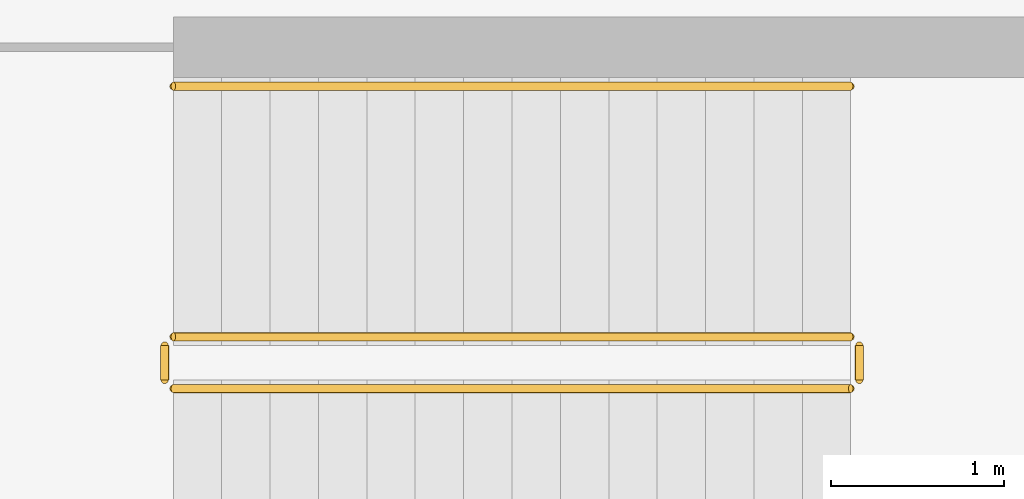
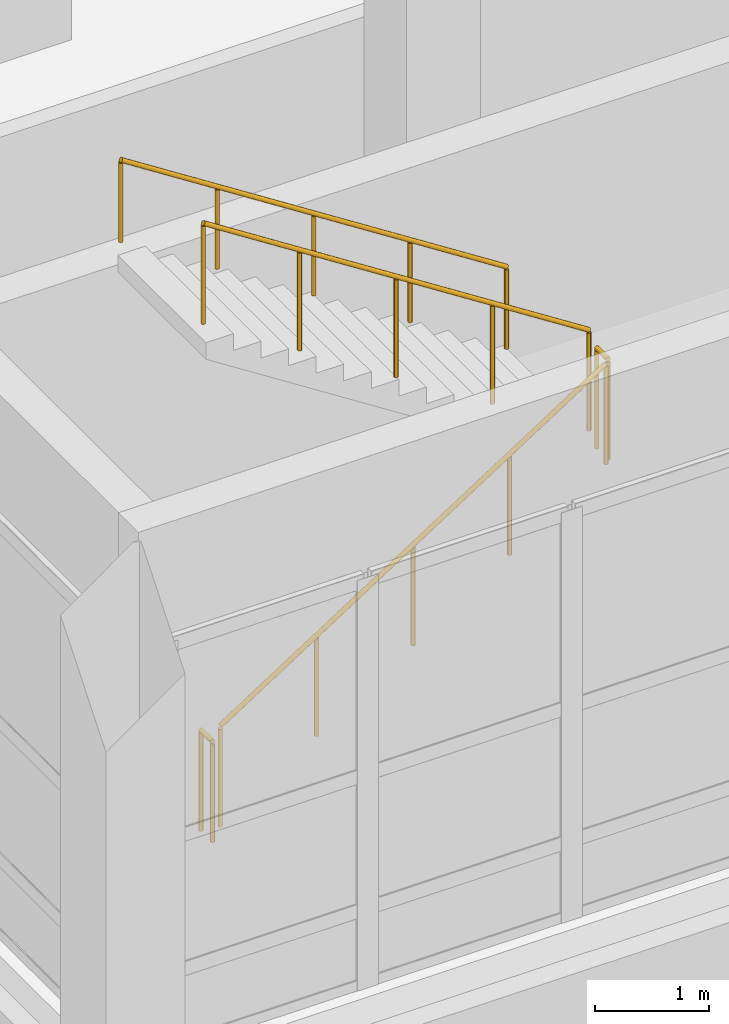
# One storey, part 124 of 137: 5 railings.
"""IFC4 building model written with IfcOpenShell, lengths in metres."""

from ifc_helpers import new_model, si_unit, direction, frame, origin, origin_2d, place, context, subcontext, project, spatial, circle, extrude, material, type_object, element, save


model = new_model("IFC4")

# Units and contexts
model_context = context("Model", 3, precision=1e-05, world=origin(), true_north=direction((0.0, 1.0)))
body_context = subcontext(model_context, "Body", "Model", "MODEL_VIEW")
ifc_project = project(units=[si_unit("LENGTHUNIT", "METRE"), si_unit("AREAUNIT", "SQUARE_METRE"), si_unit("VOLUMEUNIT", "CUBIC_METRE"), si_unit("PLANEANGLEUNIT", "RADIAN"), si_unit("MASSUNIT", "GRAM", prefix="KILO")], contexts=[model_context])

# Site, building, storey
site_placement = place(None, origin())
site = spatial("IfcSite", under=ifc_project, at=site_placement, CompositionType="ELEMENT")
building_placement = place(site_placement, origin())
building = spatial("IfcBuilding", under=site, at=building_placement, Name="Kalmorath City Hall", CompositionType="ELEMENT")
storey_placement = place(building_placement, origin())
storey = spatial("IfcBuildingStorey", under=building, at=storey_placement, Name="L00", CompositionType="ELEMENT", Elevation=0.0)

# Railings
ifc_material_1 = material(Name="Painted steel guardrail", Category="steel")
railing_type_1 = type_object("IfcRailingType", Name="Protected stair guardrail 1100", PredefinedType="GUARDRAIL", material=ifc_material_1)
railing_1_placement = place(storey_placement, frame((117.75, 2.699951171875, 0.179931640625)))
element("IfcRailing", 1, at=railing_1_placement, inside=storey, type_object=railing_type_1, Name="L00 ST-5 stair guard 1", PredefinedType="GUARDRAIL", context=body_context, shape_type="SweptSolid", body=[
    extrude(circle(Radius=0.02392578125, at=origin_2d()), frame((0.0, 0.0, 1.076171875), z_axis=(0.841171666519, 0.0, 0.540768182723), x_axis=(0.0, 1.0, 0.0)), (0.0, 0.0, 1.0), 4.66015625),
    extrude(circle(Radius=0.02099609375, at=origin_2d()), origin(), (0.0, 0.0, 1.0), 1.052001953125),
    extrude(circle(Radius=0.02099609375, at=origin_2d()), frame((0.97998046875, 0.0, 0.6298828125)), (0.0, 0.0, 1.0), 1.052001953125),
    extrude(circle(Radius=0.02099609375, at=origin_2d()), frame((1.9599609375, 0.0, 1.260009765625)), (0.0, 0.0, 1.0), 1.052001953125),
    extrude(circle(Radius=0.02099609375, at=origin_2d()), frame((2.93994140625, 0.0, 1.89013671875)), (0.0, 0.0, 1.0), 1.052001953125),
    extrude(circle(Radius=0.02099609375, at=origin_2d()), frame((3.919921875, 0.0, 2.52001953125)), (0.0, 0.0, 1.0), 1.052001953125),
])
railing_2_placement = place(storey_placement, frame((121.719970703125, 2.75, 2.699951171875)))
element("IfcRailing", 2, at=railing_2_placement, inside=storey, type_object=railing_type_1, Name="L00 ST-5 stair guard 2", PredefinedType="GUARDRAIL", context=body_context, shape_type="SweptSolid", body=[
    extrude(circle(Radius=0.02392578125, at=origin_2d()), frame((0.0, 0.0, 1.076171875), z_axis=(0.0, 1.0, 0.0), x_axis=(-1.0, 0.0, 0.0)), (0.0, 0.0, 1.0), 0.199951171875),
    extrude(circle(Radius=0.02099609375, at=origin_2d()), origin(), (0.0, 0.0, 1.0), 1.052001953125),
    extrude(circle(Radius=0.02099609375, at=origin_2d()), frame((0.0, 0.199951171875, 0.0)), (0.0, 0.0, 1.0), 1.052001953125),
])
railing_3_placement = place(storey_placement, frame((121.669921875, 3.0, 2.8798828125)))
element("IfcRailing", 3, at=railing_3_placement, inside=storey, type_object=railing_type_1, Name="L00 ST-5 stair guard 3", PredefinedType="GUARDRAIL", context=body_context, shape_type="SweptSolid", body=[
    extrude(circle(Radius=0.02392578125, at=origin_2d()), frame((0.0, 0.0, 1.076171875), z_axis=(-0.841171666519, 0.0, 0.540768182723), x_axis=(0.0, -1.0, 0.0)), (0.0, 0.0, 1.0), 4.66015625),
    extrude(circle(Radius=0.02099609375, at=origin_2d()), origin(), (0.0, 0.0, 1.0), 1.052001953125),
    extrude(circle(Radius=0.02099609375, at=origin_2d()), frame((-0.97998046875, 0.0, 0.6298828125)), (0.0, 0.0, 1.0), 1.052001953125),
    extrude(circle(Radius=0.02099609375, at=origin_2d()), frame((-1.9599609375, 0.0, 1.260009765625)), (0.0, 0.0, 1.0), 1.052001953125),
    extrude(circle(Radius=0.02099609375, at=origin_2d()), frame((-2.93994140625, 0.0, 1.89013671875)), (0.0, 0.0, 1.0), 1.052001953125),
    extrude(circle(Radius=0.02099609375, at=origin_2d()), frame((-3.919921875, 0.0, 2.52001953125)), (0.0, 0.0, 1.0), 1.052001953125),
])
railing_4_placement = place(storey_placement, frame((117.699951171875, 2.75, 0.0)))
element("IfcRailing", 4, at=railing_4_placement, inside=storey, type_object=railing_type_1, Name="L00 ST-5 stair guard 4", PredefinedType="GUARDRAIL", context=body_context, shape_type="SweptSolid", body=[
    extrude(circle(Radius=0.02392578125, at=origin_2d()), frame((0.0, 0.0, 1.076171875), z_axis=(0.0, 1.0, 0.0), x_axis=(-1.0, 0.0, 0.0)), (0.0, 0.0, 1.0), 0.199951171875),
    extrude(circle(Radius=0.02099609375, at=origin_2d()), origin(), (0.0, 0.0, 1.0), 1.052001953125),
    extrude(circle(Radius=0.02099609375, at=origin_2d()), frame((0.0, 0.199951171875, 0.0)), (0.0, 0.0, 1.0), 1.052001953125),
])
ifc_material_2 = material(Name="Brushed stainless steel handrail", Category="steel")
railing_type_2 = type_object("IfcRailingType", Name="Stair pitch handrail 900", PredefinedType="HANDRAIL", material=ifc_material_2)
railing_5_placement = place(storey_placement, frame((121.669921875, 4.449951171875, 2.8798828125)))
element("IfcRailing", 5, at=railing_5_placement, inside=storey, type_object=railing_type_2, Name="L00 ST-5 stair handrail 2", PredefinedType="HANDRAIL", context=body_context, shape_type="SweptSolid", body=[
    extrude(circle(Radius=0.02392578125, at=origin_2d()), frame((0.0, 0.0, 0.8759765625), z_axis=(-0.841171666519, 0.0, 0.540768182723), x_axis=(0.0, -1.0, 0.0)), (0.0, 0.0, 1.0), 4.66015625),
    extrude(circle(Radius=0.02099609375, at=origin_2d()), origin(), (0.0, 0.0, 1.0), 0.851806640625),
    extrude(circle(Radius=0.02099609375, at=origin_2d()), frame((-0.97998046875, 0.0, 0.6298828125)), (0.0, 0.0, 1.0), 0.851806640625),
    extrude(circle(Radius=0.02099609375, at=origin_2d()), frame((-1.9599609375, 0.0, 1.260009765625)), (0.0, 0.0, 1.0), 0.851806640625),
    extrude(circle(Radius=0.02099609375, at=origin_2d()), frame((-2.93994140625, 0.0, 1.89013671875)), (0.0, 0.0, 1.0), 0.851806640625),
    extrude(circle(Radius=0.02099609375, at=origin_2d()), frame((-3.919921875, 0.0, 2.52001953125)), (0.0, 0.0, 1.0), 0.851806640625),
])

save(model, "model.ifc")
